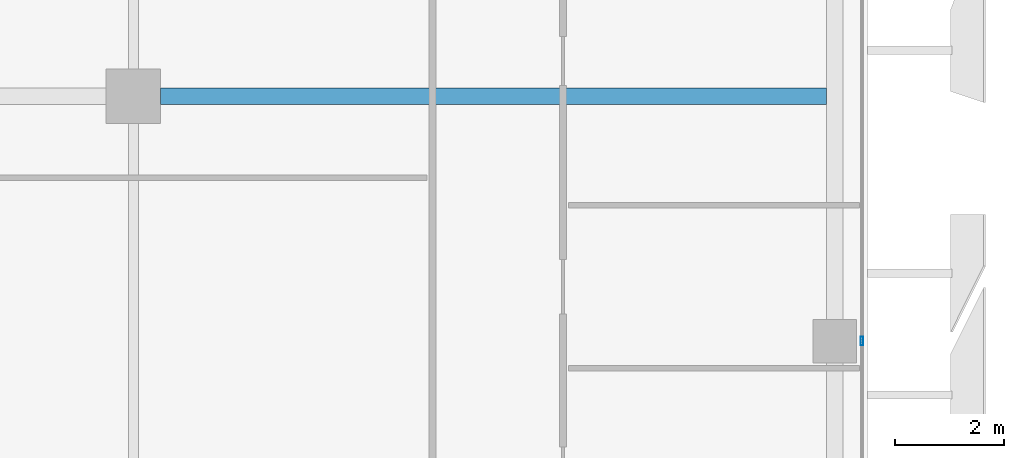
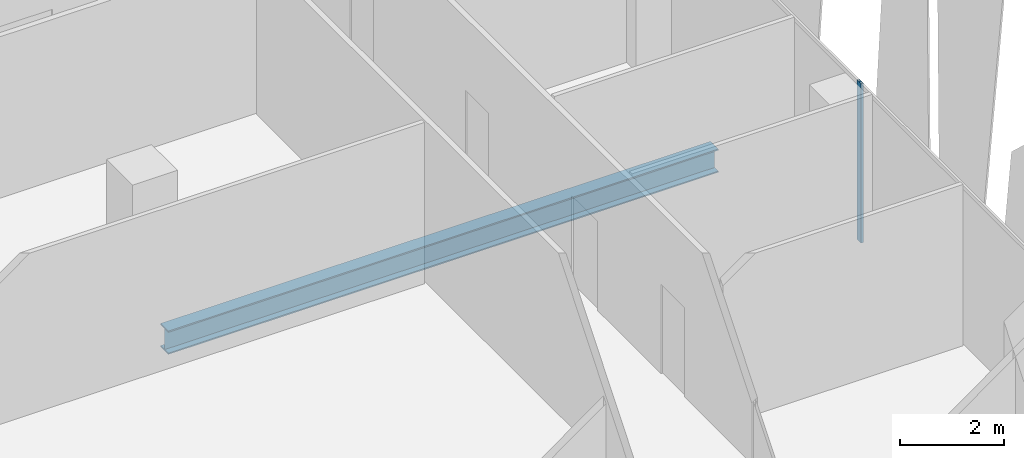
# One storey, part 11 of 33: 1 beam, 1 member, 1 element without a shape of its own.
"""IFC4 building model written with IfcOpenShell, lengths in metres."""

import ifcopenshell
import ifcopenshell.guid

model = None  # the IFC model being written
_history = None  # IfcOwnerHistory: only IFC2X3 demands one
_inside = {}  # id of a spatial element -> (the spatial element, [elements in it])
_under = {}  # id of a project, library or spatial element -> (it, [spatial elements below it])
_declared = {}  # id of a project -> (the project, [libraries it declares])
_typed = {}  # id of a type object -> (the type object, [elements of that type])
_made_of = {}  # id of a material, layer set ... -> (it, [elements and type objects made of it])


def new_model(schema):
    """Start an empty IFC model of exactly this schema.

    Asked for "IFC4X3", IfcOpenShell would pick the latest addendum, in which some entities
    have other attributes; the version numbers below select the first issue.
    IFC2X3 requires an IfcOwnerHistory on every rooted entity: one is made here for all.
    """
    global model, _history
    if schema == "IFC4X3":
        model = ifcopenshell.file(schema_version=(4, 3, 0, 0))
    else:
        model = ifcopenshell.file(schema=schema)
    _inside.clear()
    _under.clear()
    _declared.clear()
    _typed.clear()
    _made_of.clear()
    _history = None
    if model.schema == "IFC2X3":
        org = make("IfcOrganization", Name="unknown")
        user = make(
            "IfcPersonAndOrganization",
            ThePerson=make("IfcPerson", FamilyName="unknown"),
            TheOrganization=org,
        )
        app = make(
            "IfcApplication",
            ApplicationDeveloper=org,
            Version="unknown",
            ApplicationFullName="unknown",
            ApplicationIdentifier="unknown",
        )
        _history = make(
            "IfcOwnerHistory",
            OwningUser=user,
            OwningApplication=app,
            ChangeAction="ADDED",
            CreationDate=0,
        )
    return model


def make(cls, **values):
    """One entity of the class cls with the attributes given. An attribute that is None is left unset."""
    return model.create_entity(
        cls, **{name: value for name, value in values.items() if value is not None}
    )


def rooted(cls, **values):
    """An entity with a GlobalId (a new one), such as an element, a storey or a relation."""
    return make(cls, GlobalId=ifcopenshell.guid.new(), OwnerHistory=_history, **values)


def si_unit(unit_type, name, prefix=None):
    """IfcSIUnit, for example si_unit("LENGTHUNIT", "METRE", prefix="MILLI")."""
    return make("IfcSIUnit", UnitType=unit_type, Prefix=prefix, Name=name)


def assignment(units):
    """IfcUnitAssignment: the units of a project."""
    return None if units is None else make("IfcUnitAssignment", Units=units)


def point(xyz):
    """IfcCartesianPoint."""
    return None if xyz is None else make("IfcCartesianPoint", Coordinates=xyz)


def direction(xyz):
    """IfcDirection."""
    return None if xyz is None else make("IfcDirection", DirectionRatios=xyz)


def frame(location, z_axis=None, x_axis=None):
    """IfcAxis2Placement3D, a coordinate frame: its origin and axes. An axis left out is left unset."""
    return make(
        "IfcAxis2Placement3D",
        Location=point(location),
        Axis=direction(z_axis),
        RefDirection=direction(x_axis),
    )


def frame_2d(location, x_axis=None):
    """IfcAxis2Placement2D, a coordinate frame in the plane: its origin and x axis."""
    return make(
        "IfcAxis2Placement2D", Location=point(location), RefDirection=direction(x_axis)
    )


def origin():
    """The frame at (0, 0, 0) with its axes left unset."""
    return frame((0.0, 0.0, 0.0))


def origin_2d():
    """The frame at (0, 0) in the plane with its x axis left unset."""
    return frame_2d((0.0, 0.0))


def place(relative_to, where):
    """IfcLocalPlacement: puts the frame where relative to a parent placement (None: the world)."""
    return make(
        "IfcLocalPlacement", PlacementRelTo=relative_to, RelativePlacement=where
    )


def context(
    kind, dimensions, precision=None, world=None, true_north=None, identifier=None
):
    """IfcGeometricRepresentationContext, for example the 3D "Model" context."""
    return make(
        "IfcGeometricRepresentationContext",
        ContextIdentifier=identifier,
        ContextType=kind,
        CoordinateSpaceDimension=dimensions,
        Precision=precision,
        WorldCoordinateSystem=world,
        TrueNorth=true_north,
    )


def subcontext(parent, identifier, kind, view, scale=None):
    """IfcGeometricRepresentationSubContext, for example "Body" below "Model"."""
    return make(
        "IfcGeometricRepresentationSubContext",
        ContextIdentifier=identifier,
        ContextType=kind,
        ParentContext=parent,
        TargetScale=scale,
        TargetView=view,
    )


def project(units=None, contexts=None):
    """IfcProject with its units and contexts."""
    return rooted(
        "IfcProject",
        Name="project",
        RepresentationContexts=contexts,
        UnitsInContext=assignment(units),
    )


def spatial(cls, under=None, at=None, **own):
    """A site, building, storey or space (cls), placed at a placement, below another one or the project."""
    s = rooted(cls, ObjectPlacement=at, **own)
    if under is not None:
        _under.setdefault(under.id(), (under, []))[1].append(s)
    return s


def profile(cls, at=None, kind="AREA", **sizes):
    """A parametric profile (cls). Its sizes go by their IFC names, for example OverallWidth=200.0."""
    return make(cls, ProfileType=kind, Position=at, **sizes)


def hollow_rectangle(**sizes):
    """IfcRectangleHollowProfileDef."""
    return profile("IfcRectangleHollowProfileDef", **sizes)


def i_section(**sizes):
    """IfcIShapeProfileDef."""
    return profile("IfcIShapeProfileDef", **sizes)


def extrude(swept, where, along, depth):
    """IfcExtrudedAreaSolid: the profile swept, set in the frame where, extruded along a direction by depth."""
    return make(
        "IfcExtrudedAreaSolid",
        SweptArea=swept,
        Position=where,
        ExtrudedDirection=direction(along),
        Depth=depth,
    )


def shape(context_of_items, identifier, shape_type, items):
    """IfcShapeRepresentation: the items that make up one representation, for example the "Body"."""
    return make(
        "IfcShapeRepresentation",
        ContextOfItems=context_of_items,
        RepresentationIdentifier=identifier,
        RepresentationType=shape_type,
        Items=items,
    )


def source(mapping_origin, context_of_items, identifier, shape_type, items):
    """IfcRepresentationMap: a shape defined once, which mapped items show again and again."""
    return make(
        "IfcRepresentationMap",
        MappingOrigin=mapping_origin,
        MappedRepresentation=shape(context_of_items, identifier, shape_type, items),
    )


def transform(
    local_origin,
    x_axis=None,
    y_axis=None,
    z_axis=None,
    scale=None,
    scale2=None,
    scale3=None,
    uniform=True,
):
    """IfcCartesianTransformationOperator3D, or its non-uniform kind. x_axis, y_axis, z_axis: its Axis1, 2, 3."""
    if uniform:
        return make(
            "IfcCartesianTransformationOperator3D",
            Axis1=direction(x_axis),
            Axis2=direction(y_axis),
            LocalOrigin=point(local_origin),
            Scale=scale,
            Axis3=direction(z_axis),
        )
    return make(
        "IfcCartesianTransformationOperator3DnonUniform",
        Axis1=direction(x_axis),
        Axis2=direction(y_axis),
        LocalOrigin=point(local_origin),
        Scale=scale,
        Axis3=direction(z_axis),
        Scale2=scale2,
        Scale3=scale3,
    )


def mapped(mapping_source, mapping_target):
    """IfcMappedItem: shows the shape of a source again, moved by a transform."""
    return make(
        "IfcMappedItem", MappingSource=mapping_source, MappingTarget=mapping_target
    )


def material(Name=None, Category=None):
    """IfcMaterial."""
    return make("IfcMaterial", Name=Name, Category=Category)


def material_profile(
    of_material, cross_section, Name=None, Category=None, Priority=None
):
    """IfcMaterialProfile: a cross section and its material."""
    return make(
        "IfcMaterialProfile",
        Name=Name,
        Material=of_material,
        Profile=cross_section,
        Priority=Priority,
        Category=Category,
    )


def profile_set(profiles, Name=None, composite=None):
    """IfcMaterialProfileSet."""
    return make(
        "IfcMaterialProfileSet",
        Name=Name,
        MaterialProfiles=profiles,
        CompositeProfile=composite,
    )


def made_of(thing, what):
    """Note that an element or type object is made of a material, layer set ...; save() writes the relation."""
    if what is not None:
        _made_of.setdefault(what.id(), (what, []))[1].append(thing)
    return thing


def type_object(cls, material=None, **own):
    """A type object (cls), such as IfcWallType, which elements share."""
    return made_of(rooted(cls, **own), material)


def element(
    cls,
    number,
    at=None,
    inside=None,
    cuts=None,
    type_object=None,
    material=None,
    context=None,
    identifier="Body",
    shape_type=None,
    held_by="IfcProductDefinitionShape",
    body=None,
    shapes=None,
    **own,
):
    """One element of the class cls, such as IfcWall. Its Tag is "e" and its number.

    at: its placement. inside: the storey or other place that contains it. cuts: it is an
    opening in that element (IfcRelVoidsElement). A single representation is given by context,
    identifier, shape_type and body (its items); several are given by shapes. held_by: the class
    of the entity that holds the representations. save() writes the other relations.
    """
    e = rooted(cls, Tag="e%d" % number, ObjectPlacement=at, **own)
    if body is not None:
        shapes = [shape(context, identifier, shape_type, body)]
    if shapes is not None:
        e.Representation = make(held_by, Representations=shapes)
    if inside is not None:
        _inside.setdefault(inside.id(), (inside, []))[1].append(e)
    if cuts is not None:
        rooted(
            "IfcRelVoidsElement", RelatingBuildingElement=cuts, RelatedOpeningElement=e
        )
    if type_object is not None:
        _typed.setdefault(type_object.id(), (type_object, []))[1].append(e)
    return made_of(e, material)


def aggregate(whole, parts):
    """IfcRelAggregates: a whole, such as a stair, and the parts it consists of."""
    return rooted("IfcRelAggregates", RelatingObject=whole, RelatedObjects=parts)


def save(model, path):
    """Write the relations noted so far, then the file.

    IfcRelAggregates (storeys below a building ...), IfcRelContainedInSpatialStructure (elements
    in a storey), IfcRelDefinesByType, IfcRelAssociatesMaterial and IfcRelDeclares: one each for
    every whole, place, type object, material and project.
    """
    for whole, parts in _under.values():
        aggregate(whole, parts)
    for where, things in _inside.values():
        rooted(
            "IfcRelContainedInSpatialStructure",
            RelatedElements=things,
            RelatingStructure=where,
        )
    for kind, things in _typed.values():
        rooted("IfcRelDefinesByType", RelatedObjects=things, RelatingType=kind)
    for what, things in _made_of.values():
        rooted("IfcRelAssociatesMaterial", RelatedObjects=things, RelatingMaterial=what)
    for by, libraries in _declared.values():
        rooted("IfcRelDeclares", RelatingContext=by, RelatedDefinitions=libraries)
    model.write(path)


model = new_model("IFC4")

# Units and contexts
model_context = context("Model", 3, precision=1e-05, world=origin(), true_north=direction((0.0, 1.0)))
body_context = subcontext(model_context, "Body", "Model", "MODEL_VIEW")
ifc_project = project(units=[si_unit("LENGTHUNIT", "METRE"), si_unit("AREAUNIT", "SQUARE_METRE"), si_unit("VOLUMEUNIT", "CUBIC_METRE"), si_unit("PLANEANGLEUNIT", "RADIAN"), si_unit("MASSUNIT", "GRAM", prefix="KILO")], contexts=[model_context])

# Site, building, storey
site_placement = place(None, origin())
site = spatial("IfcSite", under=ifc_project, at=site_placement, CompositionType="ELEMENT")
building_placement = place(site_placement, origin())
building = spatial("IfcBuilding", under=site, at=building_placement, Name="Khomas Fold Tower", CompositionType="ELEMENT")
storey_placement = place(building_placement, frame((0.0, 0.0, 294.199951171875)))
storey = spatial("IfcBuildingStorey", under=building, at=storey_placement, Name="L66", CompositionType="ELEMENT", Elevation=294.199951171875)

# Beam
ifc_material_1 = material(Name="Steel S355", Category="steel")
ifc_material_profile_1 = material_profile(ifc_material_1, i_section(OverallWidth=0.300048828125, OverallDepth=0.550048828125, WebThickness=0.014892578125, FlangeThickness=0.029052734375, at=origin_2d()), Name="HE 550 B")
ifc_profile_set_1 = profile_set([ifc_material_profile_1], Name="Steel S355")
beam_type = type_object("IfcBeamType", Name="HE 550 B beam GB4", PredefinedType="BEAM", material=ifc_profile_set_1)
shared_shape_1 = source(origin(), body_context, "Body", "SweptSolid", [
    extrude(i_section(OverallWidth=0.300048828125, OverallDepth=0.550048828125, WebThickness=0.014892578125, FlangeThickness=0.029052734375, at=origin_2d()), origin(), (0.0, 0.0, 1.0), 12.25),
])
beam_placement = place(storey_placement, frame((35.0, 31.5, -0.52490234375), z_axis=(1.0, 0.0, 0.0), x_axis=(0.0, 1.0, 0.0)))
element("IfcBeam", 1, at=beam_placement, inside=storey, type_object=beam_type, Name="GB4", PredefinedType="BEAM", context=body_context, shape_type="MappedRepresentation", body=[
    mapped(shared_shape_1, transform((0.0, 0.0, 0.0))),
])

# Curtain wall, member
ifc_material_2 = material(Name="Aluminium framed double glazing", Category="aluminium")
curtain_wall_type = type_object("IfcCurtainWallType", Name="SK-Unitised clear-glass wall, upper floors CW3", PredefinedType="NOTDEFINED", material=ifc_material_2)
curtain_wall_placement = place(storey_placement, origin())
curtain_wall = element("IfcCurtainWall", 2, at=curtain_wall_placement, inside=storey, type_object=curtain_wall_type, Name="CW3 run L66 03-0", PredefinedType="NOTDEFINED")
ifc_material_3 = material(Name="Aluminium", Category="aluminium")
ifc_material_profile_2 = material_profile(ifc_material_3, hollow_rectangle(XDim=0.050048828125, YDim=0.159912109375, WallThickness=0.00390625, at=origin_2d()), Name="SK-Unitised clear-glass wall, upper floors mullion CW3-M")
ifc_profile_set_2 = profile_set([ifc_material_profile_2], Name="Aluminium")
member_type = type_object("IfcMemberType", Name="SK-Unitised clear-glass wall, upper floors mullion CW3-M", PredefinedType="MULLION", material=ifc_profile_set_2)
shared_shape_2 = source(origin(), body_context, "Body", "SweptSolid", [
    extrude(hollow_rectangle(XDim=0.050048828125, YDim=0.159912109375, WallThickness=0.00390625, at=origin_2d()), origin(), (0.0, 0.0, 1.0), 3.75),
])
member_placement = place(storey_placement, frame((47.89990234375, 27.0, 0.0), z_axis=(0.0, 0.0, 1.0), x_axis=(-1.0, 0.0, 0.0)))
member = element("IfcMember", 3, at=member_placement, type_object=member_type, Name="CW3 mullion 4", PredefinedType="MULLION", context=body_context, shape_type="MappedRepresentation", body=[
    mapped(shared_shape_2, transform((0.0, 0.0, 0.0))),
])
aggregate(curtain_wall, [member])

save(model, "model.ifc")
